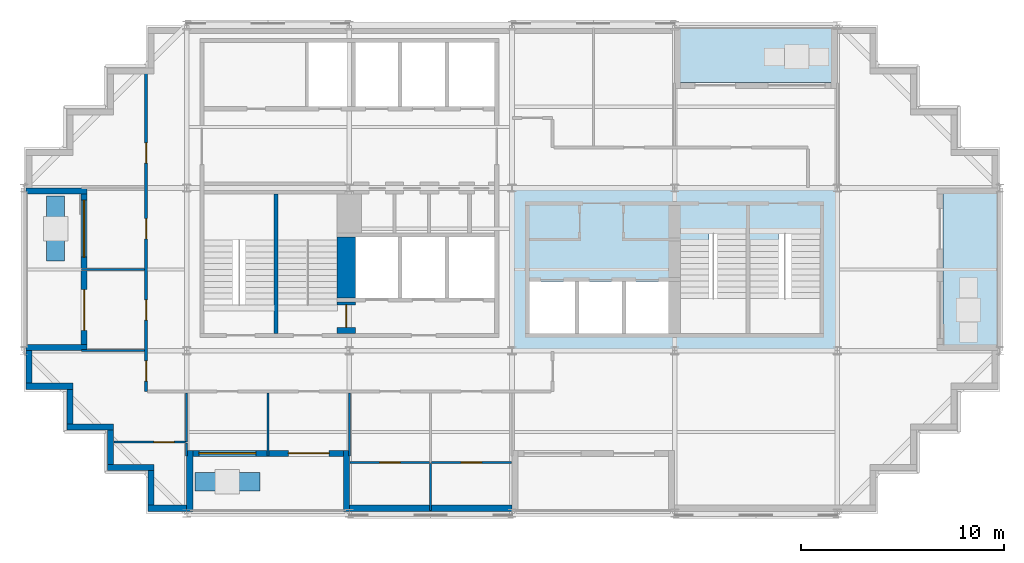
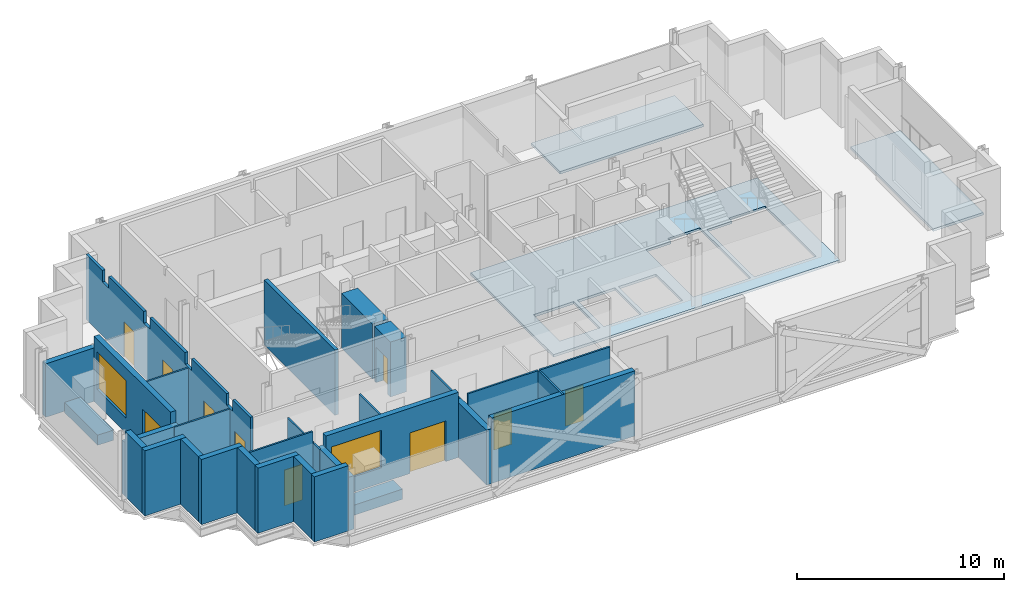
# One storey, part 2 of 8: 31 walls, 10 doors, 3 slabs, 2 windows, 12 openings.
"""IFC4 building model written with IfcOpenShell, lengths in metres."""

from ifc_helpers import new_model, si_unit, direction, frame, frame_2d, origin, place, context, subcontext, project, spatial, polyline, rectangle, outline, extrude, material, layer, layer_set, type_object, element, fill, save


model = new_model("IFC4")

# Units and contexts
model_context = context("Model", 3, precision=1e-05, world=origin(), true_north=direction((0.0, 1.0)))
body_context = subcontext(model_context, "Body", "Model", "MODEL_VIEW")
ifc_project = project(units=[si_unit("LENGTHUNIT", "METRE"), si_unit("AREAUNIT", "SQUARE_METRE"), si_unit("VOLUMEUNIT", "CUBIC_METRE"), si_unit("PLANEANGLEUNIT", "RADIAN"), si_unit("MASSUNIT", "GRAM", prefix="KILO")], contexts=[model_context])

# Site, building, storey
site_placement = place(None, origin())
site = spatial("IfcSite", under=ifc_project, at=site_placement, CompositionType="ELEMENT")
building_placement = place(site_placement, origin())
building = spatial("IfcBuilding", under=site, at=building_placement, Name="Immortelle Media Tower", CompositionType="ELEMENT")
storey_placement = place(building_placement, frame((0.0, 0.0, 197.0)))
storey = spatial("IfcBuildingStorey", under=building, at=storey_placement, Name="L41", CompositionType="ELEMENT", Elevation=197.0)

# Slabs
ifc_material_1 = material(Name="Concrete C50/60 composite deck", Category="concrete")
ifc_layer_1 = layer(ifc_material_1, 0.14990234375)
ifc_layer_set_1 = layer_set([ifc_layer_1], Name="Concrete C50/60 composite deck")
slab_type_1 = type_object("IfcSlabType", Name="Balcony slab 150", PredefinedType="FLOOR", material=ifc_layer_set_1)
slab_1_placement = place(storey_placement, frame((0.0, 0.0, -0.14990234375)))
element("IfcSlab", 1, at=slab_1_placement, inside=storey, type_object=slab_type_1, Name="Balcony slab L41 E0", PredefinedType="FLOOR", context=body_context, shape_type="SweptSolid", body=[
    extrude(outline(polyline([(48.0, 8.0), (48.0, 16.0), (45.199951171875, 16.0), (45.199951171875, 8.0), (48.0, 8.0)])), origin(), (0.0, 0.0, 1.0), 0.14990234375),
])
slab_2_placement = place(storey_placement, frame((0.0, 0.0, -0.14990234375)))
element("IfcSlab", 2, at=slab_2_placement, inside=storey, type_object=slab_type_1, Name="Balcony slab L41 N0", PredefinedType="FLOOR", context=body_context, shape_type="SweptSolid", body=[
    extrude(outline(polyline([(40.0, 21.199951171875), (40.0, 24.0), (32.0, 24.0), (32.0, 21.199951171875), (40.0, 21.199951171875)])), origin(), (0.0, 0.0, 1.0), 0.14990234375),
])
ifc_material_2 = material(Name="Concrete C50/60", Category="concrete")
ifc_layer_2 = layer(ifc_material_2, 0.14990234375)
ifc_layer_set_2 = layer_set([ifc_layer_2], Name="Concrete C50/60")
slab_type_2 = type_object("IfcSlabType", Name="Core floor slab 150", PredefinedType="FLOOR", material=ifc_layer_set_2)
slab_3_placement = place(storey_placement, frame((0.0, 0.0, -0.14990234375)))
element("IfcSlab", 3, at=slab_3_placement, inside=storey, type_object=slab_type_2, Name="Core floor SE", PredefinedType="FLOOR", context=body_context, shape_type="SweptSolid", body=[
    extrude(outline(polyline([(24.0, 8.0), (40.0, 8.0), (40.0, 16.0), (24.0, 16.0), (24.0, 8.0)]), holes=[polyline([(24.85009765625, 8.85009765625), (27.10009765625, 8.85009765625), (27.10009765625, 11.39990234375), (24.85009765625, 11.39990234375), (24.85009765625, 8.85009765625)]), polyline([(27.300048828125, 8.85009765625), (29.39990234375, 8.85009765625), (29.39990234375, 11.39990234375), (27.300048828125, 11.39990234375), (27.300048828125, 8.85009765625)]), polyline([(29.60009765625, 8.85009765625), (31.699951171875, 8.85009765625), (31.699951171875, 11.39990234375), (29.60009765625, 11.39990234375), (29.60009765625, 8.85009765625)]), polyline([(35.5, 13.72998046875), (35.5, 8.85009765625), (32.300048828125, 8.85009765625), (32.300048828125, 13.43994140625), (33.699951171875, 13.43994140625), (33.699951171875, 13.72998046875), (35.5, 13.72998046875)]), polyline([(39.14990234375, 13.72998046875), (39.14990234375, 8.85009765625), (35.699951171875, 8.85009765625), (35.699951171875, 13.43994140625), (37.10009765625, 13.43994140625), (37.10009765625, 13.72998046875), (39.14990234375, 13.72998046875)])]), origin(), (0.0, 0.0, 1.0), 0.14990234375),
])

# Wall, openings, doors
ifc_material_3 = material(Name="Fire-rated gypsum board", Category="gypsum")
ifc_layer_3 = layer(ifc_material_3, 0.012451171875)
ifc_material_4 = material(Name="Steel ASTM A653 SS Gr 50 stud frame with mineral wool", Category="steel")
ifc_layer_4 = layer(ifc_material_4, 0.125)
ifc_layer_5 = layer(ifc_material_3, 0.012451171875)
ifc_layer_set_3 = layer_set([ifc_layer_3, ifc_layer_4, ifc_layer_5], Name="Steel ASTM A653 SS Gr 50 stud frame with mineral wool")
wall_type_1 = type_object("IfcWallType", Name="Corridor wall 150", PredefinedType="PARTITIONING", material=ifc_layer_set_3)
wall_1_placement = place(storey_placement, frame((6.0, 6.0, 0.0), z_axis=(0.0, 0.0, 1.0), x_axis=(0.0, 1.0, 0.0)))
wall_1 = element("IfcWall", 4, at=wall_1_placement, inside=storey, type_object=wall_type_1, Name="Partition L41-012", PredefinedType="PARTITIONING", context=body_context, shape_type="SweptSolid", body=[
    extrude(outline(polyline([(0.0, 0.0), (15.8701171875, 0.0), (15.8701171875, 3.85009765625), (14.300048828125, 3.85009765625), (14.298095703125, 3.156982421875), (13.701904296875, 3.156982421875), (13.699951171875, 3.85009765625), (10.300048828125, 3.85009765625), (10.298095703125, 3.156982421875), (9.701904296875, 3.156982421875), (9.699951171875, 3.85009765625), (6.300048828125, 3.85009765625), (6.298095703125, 3.156982421875), (5.701904296875, 3.156982421875), (5.699951171875, 3.85009765625), (2.300048828125, 3.85009765625), (2.298095703125, 3.156982421875), (1.701904296875, 3.156982421875), (1.699951171875, 3.85009765625), (0.0, 3.85009765625), (0.0, 0.0)])), frame((0.0, 0.074951171875, 0.0), z_axis=(0.0, -1.0, 0.0), x_axis=(1.0, 0.0, 0.0)), (0.0, 0.0, 1.0), 0.14990234375),
])
opening_1_placement = place(wall_1_placement, frame((0.5, 0.0, 0.0)))
opening_1 = element("IfcOpeningElement", 5, at=opening_1_placement, cuts=wall_1, Name="Opening O1-F007", PredefinedType="OPENING", context=body_context, shape_type="SweptSolid", body=[
    extrude(rectangle(XDim=1.0, YDim=2.10009765625, at=frame_2d((0.5, 1.050048828125))), frame((0.0, 0.0849609375, 0.0), z_axis=(0.0, -1.0, 0.0), x_axis=(1.0, 0.0, 0.0)), (0.0, 0.0, 1.0), 0.169921875),
])
opening_2_placement = place(wall_1_placement, frame((3.5, 0.0, 0.0)))
opening_2 = element("IfcOpeningElement", 6, at=opening_2_placement, cuts=wall_1, Name="Opening O1-F010", PredefinedType="OPENING", context=body_context, shape_type="SweptSolid", body=[
    extrude(rectangle(XDim=1.0, YDim=2.10009765625, at=frame_2d((0.5, 1.050048828125))), frame((0.0, 0.0849609375, 0.0), z_axis=(0.0, -1.0, 0.0), x_axis=(1.0, 0.0, 0.0)), (0.0, 0.0, 1.0), 0.169921875),
])
opening_3_placement = place(wall_1_placement, frame((7.5, 0.0, 0.0)))
opening_3 = element("IfcOpeningElement", 7, at=opening_3_placement, cuts=wall_1, Name="Opening O1-F011", PredefinedType="OPENING", context=body_context, shape_type="SweptSolid", body=[
    extrude(rectangle(XDim=1.0, YDim=2.10009765625, at=frame_2d((0.5, 1.050048828125))), frame((0.0, 0.0849609375, 0.0), z_axis=(0.0, -1.0, 0.0), x_axis=(1.0, 0.0, 0.0)), (0.0, 0.0, 1.0), 0.169921875),
])
opening_4_placement = place(wall_1_placement, frame((11.22509765625, 0.0, 0.0)))
opening_4 = element("IfcOpeningElement", 8, at=opening_4_placement, cuts=wall_1, Name="Opening O1-F012", PredefinedType="OPENING", context=body_context, shape_type="SweptSolid", body=[
    extrude(rectangle(XDim=1.0, YDim=2.10009765625, at=frame_2d((0.5, 1.050048828125))), frame((0.0, 0.0849609375, 0.0), z_axis=(0.0, -1.0, 0.0), x_axis=(1.0, 0.0, 0.0)), (0.0, 0.0, 1.0), 0.169921875),
])
ifc_material_5 = material(Name="Timber veneered door leaf, galvanised steel frame ASTM A653", Category="steel")
door_type_1 = type_object("IfcDoorType", Name="Room door 1000 x 2100", OperationType="NOTDEFINED", PredefinedType="DOOR", material=ifc_material_5)
door_1_placement = place(opening_1_placement, origin())
door_1 = element("IfcDoor", 9, at=door_1_placement, inside=storey, type_object=door_type_1, Name="Door O1-F007", OperationType="SINGLE_SWING_RIGHT", OverallHeight=2.10009765625, OverallWidth=1.0, PredefinedType="DOOR", context=body_context, shape_type="SweptSolid", body=[
    extrude(rectangle(XDim=1.0, YDim=2.10009765625, at=frame_2d((0.5, 1.050048828125))), frame((0.0, 0.02490234375, 0.0), z_axis=(0.0, -1.0, 0.0), x_axis=(1.0, 0.0, 0.0)), (0.0, 0.0, 1.0), 0.050048828125),
])
fill(opening_1, door_1)
door_2_placement = place(opening_2_placement, origin())
door_2 = element("IfcDoor", 10, at=door_2_placement, inside=storey, type_object=door_type_1, Name="Door O1-F010", OperationType="SINGLE_SWING_RIGHT", OverallHeight=2.10009765625, OverallWidth=1.0, PredefinedType="DOOR", context=body_context, shape_type="SweptSolid", body=[
    extrude(rectangle(XDim=1.0, YDim=2.10009765625, at=frame_2d((0.5, 1.050048828125))), frame((0.0, 0.02490234375, 0.0), z_axis=(0.0, -1.0, 0.0), x_axis=(1.0, 0.0, 0.0)), (0.0, 0.0, 1.0), 0.050048828125),
])
fill(opening_2, door_2)
door_3_placement = place(opening_3_placement, origin())
door_3 = element("IfcDoor", 11, at=door_3_placement, inside=storey, type_object=door_type_1, Name="Door O1-F011", OperationType="SINGLE_SWING_LEFT", OverallHeight=2.10009765625, OverallWidth=1.0, PredefinedType="DOOR", context=body_context, shape_type="SweptSolid", body=[
    extrude(rectangle(XDim=1.0, YDim=2.10009765625, at=frame_2d((0.5, 1.050048828125))), frame((0.0, 0.02490234375, 0.0), z_axis=(0.0, -1.0, 0.0), x_axis=(1.0, 0.0, 0.0)), (0.0, 0.0, 1.0), 0.050048828125),
])
fill(opening_3, door_3)
door_4_placement = place(opening_4_placement, origin())
door_4 = element("IfcDoor", 12, at=door_4_placement, inside=storey, type_object=door_type_1, Name="Door O1-F012", OperationType="SINGLE_SWING_LEFT", OverallHeight=2.10009765625, OverallWidth=1.0, PredefinedType="DOOR", context=body_context, shape_type="SweptSolid", body=[
    extrude(rectangle(XDim=1.0, YDim=2.10009765625, at=frame_2d((0.5, 1.050048828125))), frame((0.0, 0.02490234375, 0.0), z_axis=(0.0, -1.0, 0.0), x_axis=(1.0, 0.0, 0.0)), (0.0, 0.0, 1.0), 0.050048828125),
])
fill(opening_4, door_4)

# Walls
ifc_material_6 = material(Name="Pale aluminium cladding panel", Category="aluminium")
ifc_layer_6 = layer(ifc_material_6, 0.030029296875)
ifc_layer_7 = layer(ifc_material_4, 0.257568359375)
ifc_material_7 = material(Name="Moisture-resistant gypsum board", Category="gypsum")
ifc_layer_8 = layer(ifc_material_7, 0.012451171875)
ifc_layer_set_4 = layer_set([ifc_layer_6, ifc_layer_7, ifc_layer_8], Name="Steel ASTM A653 SS Gr 50 stud frame with mineral wool")
wall_type_2 = type_object("IfcWallType", Name="Facade wall 300", PredefinedType="SOLIDWALL", material=ifc_layer_set_4)
wall_2_placement = place(storey_placement, frame((0.10009765625, 6.25, 0.0), z_axis=(0.0, 0.0, 1.0), x_axis=(1.0, 0.0, 0.0)))
element("IfcWall", 13, at=wall_2_placement, inside=storey, type_object=wall_type_2, Name="Facade wall L41 S0", PredefinedType="SOLIDWALL", context=body_context, shape_type="SweptSolid", body=[
    extrude(rectangle(XDim=2.2998046875, YDim=0.300048828125, at=frame_2d((1.14990234375, 0.0))), origin(), (0.0, 0.0, 1.0), 3.85009765625),
])
wall_3_placement = place(storey_placement, frame((2.25, 6.10009765625, 0.0), z_axis=(0.0, 0.0, 1.0), x_axis=(0.0, -1.0, 0.0)))
element("IfcWall", 14, at=wall_3_placement, inside=storey, type_object=wall_type_2, Name="Facade wall L41 W1", PredefinedType="SOLIDWALL", context=body_context, shape_type="SweptSolid", body=[
    extrude(rectangle(XDim=1.7001953125, YDim=0.300048828125, at=frame_2d((0.85009765625, 0.0))), origin(), (0.0, 0.0, 1.0), 3.85009765625),
])
wall_4_placement = place(storey_placement, frame((2.10009765625, 4.25, 0.0), z_axis=(0.0, 0.0, 1.0), x_axis=(1.0, 0.0, 0.0)))
element("IfcWall", 15, at=wall_4_placement, inside=storey, type_object=wall_type_2, Name="Facade wall L41 S2", PredefinedType="SOLIDWALL", context=body_context, shape_type="SweptSolid", body=[
    extrude(rectangle(XDim=2.2998046875, YDim=0.300048828125, at=frame_2d((1.14990234375, 0.0))), origin(), (0.0, 0.0, 1.0), 3.85009765625),
])
wall_5_placement = place(storey_placement, frame((4.25, 4.10009765625, 0.0), z_axis=(0.0, 0.0, 1.0), x_axis=(0.0, -1.0, 0.0)))
element("IfcWall", 16, at=wall_5_placement, inside=storey, type_object=wall_type_2, Name="Facade wall L41 W3", PredefinedType="SOLIDWALL", context=body_context, shape_type="SweptSolid", body=[
    extrude(rectangle(XDim=1.7001953125, YDim=0.300048828125, at=frame_2d((0.85009765625, 0.0))), origin(), (0.0, 0.0, 1.0), 3.85009765625),
])
wall_6_placement = place(storey_placement, frame((4.10009765625, 2.25, 0.0), z_axis=(0.0, 0.0, 1.0), x_axis=(1.0, 0.0, 0.0)))
element("IfcWall", 17, at=wall_6_placement, inside=storey, type_object=wall_type_2, Name="Facade wall L41 S4", PredefinedType="SOLIDWALL", context=body_context, shape_type="SweptSolid", body=[
    extrude(rectangle(XDim=2.2998046875, YDim=0.300048828125, at=frame_2d((1.14990234375, 0.0))), origin(), (0.0, 0.0, 1.0), 3.85009765625),
])
wall_7_placement = place(storey_placement, frame((6.25, 2.10009765625, 0.0), z_axis=(0.0, 0.0, 1.0), x_axis=(0.0, -1.0, 0.0)))
element("IfcWall", 18, at=wall_7_placement, inside=storey, type_object=wall_type_2, Name="Facade wall L41 W5", PredefinedType="SOLIDWALL", context=body_context, shape_type="SweptSolid", body=[
    extrude(rectangle(XDim=1.7001953125, YDim=0.300048828125, at=frame_2d((0.85009765625, 0.0))), origin(), (0.0, 0.0, 1.0), 3.85009765625),
])
wall_8_placement = place(storey_placement, frame((6.10009765625, 0.25, 0.0), z_axis=(0.0, 0.0, 1.0), x_axis=(1.0, 0.0, 0.0)))
element("IfcWall", 19, at=wall_8_placement, inside=storey, type_object=wall_type_2, Name="Facade wall L41 S6", PredefinedType="SOLIDWALL", context=body_context, shape_type="SweptSolid", body=[
    extrude(rectangle(XDim=1.89990234375, YDim=0.300048828125, at=frame_2d((0.949951171875, 0.0))), origin(), (0.0, 0.0, 1.0), 3.85009765625),
])

# Wall, openings, door, window
wall_9_placement = place(storey_placement, frame((8.300048828125, 2.949951171875, 0.0), z_axis=(0.0, 0.0, 1.0), x_axis=(1.0, 0.0, 0.0)))
wall_9 = element("IfcWall", 20, at=wall_9_placement, inside=storey, type_object=wall_type_2, Name="Loggia wall L41 S6", PredefinedType="SOLIDWALL", context=body_context, shape_type="SweptSolid", body=[
    extrude(rectangle(XDim=7.39990234375, YDim=0.300048828125, at=frame_2d((3.699951171875, 0.0))), origin(), (0.0, 0.0, 1.0), 3.85009765625),
])
opening_5_placement = place(wall_9_placement, frame((0.300048828125, 0.0, 0.89990234375)))
opening_5 = element("IfcOpeningElement", 21, at=opening_5_placement, cuts=wall_9, Name="Opening W1", PredefinedType="OPENING", context=body_context, shape_type="SweptSolid", body=[
    extrude(rectangle(XDim=2.800048828125, YDim=2.199951171875, at=frame_2d((1.39990234375, 1.10009765625))), frame((0.0, 0.159912109375, 0.0), z_axis=(0.0, -1.0, 0.0), x_axis=(1.0, 0.0, 0.0)), (0.0, 0.0, 1.0), 0.320068359375),
])
opening_6_placement = place(wall_9_placement, frame((4.699951171875, 0.0, 0.0)))
opening_6 = element("IfcOpeningElement", 22, at=opening_6_placement, cuts=wall_9, Name="Opening O1-E001", PredefinedType="OPENING", context=body_context, shape_type="SweptSolid", body=[
    extrude(rectangle(XDim=2.0, YDim=2.39990234375, at=frame_2d((1.0, 1.199951171875))), frame((0.0, 0.159912109375, 0.0), z_axis=(0.0, -1.0, 0.0), x_axis=(1.0, 0.0, 0.0)), (0.0, 0.0, 1.0), 0.320068359375),
])
ifc_material_8 = material(Name="Aluminium frame, glazed leaves", Category="aluminium")
door_type_2 = type_object("IfcDoorType", Name="Loggia door 2000 x 2400", OperationType="DOUBLE_DOOR_SINGLE_SWING", PredefinedType="DOOR", material=ifc_material_8)
door_5_placement = place(opening_6_placement, origin())
door_5 = element("IfcDoor", 23, at=door_5_placement, inside=storey, type_object=door_type_2, Name="Door O1-E001", OperationType="DOUBLE_DOOR_SINGLE_SWING", OverallHeight=2.39990234375, OverallWidth=2.0, PredefinedType="DOOR", context=body_context, shape_type="SweptSolid", body=[
    extrude(rectangle(XDim=2.0, YDim=2.39990234375, at=frame_2d((1.0, 1.199951171875))), frame((0.0, 0.02490234375, 0.0), z_axis=(0.0, -1.0, 0.0), x_axis=(1.0, 0.0, 0.0)), (0.0, 0.0, 1.0), 0.050048828125),
])
fill(opening_6, door_5)
ifc_material_9 = material(Name="Aluminium frame", Category="aluminium")
window_type = type_object("IfcWindowType", Name="Window 2800 x 2200", PartitioningType="SINGLE_PANEL", PredefinedType="WINDOW", material=ifc_material_9)
window_1_placement = place(opening_5_placement, origin())
window_1 = element("IfcWindow", 24, at=window_1_placement, inside=storey, type_object=window_type, Name="Window L41 L41-R6-B0", OverallHeight=2.199951171875, OverallWidth=2.800048828125, PartitioningType="SINGLE_PANEL", PredefinedType="WINDOW", context=body_context, shape_type="SweptSolid", body=[
    extrude(rectangle(XDim=2.800048828125, YDim=2.199951171875, at=frame_2d((1.39990234375, 1.10009765625))), frame((0.0, 0.030029296875, 0.0), z_axis=(0.0, -1.0, 0.0), x_axis=(1.0, 0.0, 0.0)), (0.0, 0.0, 1.0), 0.06005859375),
])
fill(opening_5, window_1)

# Walls
wall_10_placement = place(storey_placement, frame((8.14990234375, 0.10009765625, 0.0), z_axis=(0.0, 0.0, 1.0), x_axis=(0.0, 1.0, 0.0)))
element("IfcWall", 25, at=wall_10_placement, inside=storey, type_object=wall_type_2, Name="Loggia cheek wall L41 S", PredefinedType="SOLIDWALL", context=body_context, shape_type="SweptSolid", body=[
    extrude(rectangle(XDim=3.0, YDim=0.300048828125, at=frame_2d((1.5, 0.0))), origin(), (0.0, 0.0, 1.0), 3.156005859375),
])
wall_11_placement = place(storey_placement, frame((15.85009765625, 0.10009765625, 0.0), z_axis=(0.0, 0.0, 1.0), x_axis=(0.0, 1.0, 0.0)))
element("IfcWall", 26, at=wall_11_placement, inside=storey, type_object=wall_type_2, Name="Loggia cheek wall L41 S", PredefinedType="SOLIDWALL", context=body_context, shape_type="SweptSolid", body=[
    extrude(rectangle(XDim=3.0, YDim=0.300048828125, at=frame_2d((1.5, 0.0))), origin(), (0.0, 0.0, 1.0), 3.237060546875),
])
wall_12_placement = place(storey_placement, frame((16.0, 0.25, 0.0), z_axis=(0.0, 0.0, 1.0), x_axis=(1.0, 0.0, 0.0)))
element("IfcWall", 27, at=wall_12_placement, inside=storey, type_object=wall_type_2, Name="Facade wall L41 S6", PredefinedType="SOLIDWALL", context=body_context, shape_type="SweptSolid", body=[
    extrude(rectangle(XDim=8.0, YDim=0.300048828125, at=frame_2d((4.0, 0.0))), origin(), (0.0, 0.0, 1.0), 3.85009765625),
])

# Wall, openings, door, window
wall_13_placement = place(storey_placement, frame((2.949951171875, 15.699951171875, 0.0), z_axis=(0.0, 0.0, 1.0), x_axis=(0.0, -1.0, 0.0)))
wall_13 = element("IfcWall", 28, at=wall_13_placement, inside=storey, type_object=wall_type_2, Name="Loggia wall L41 W27", PredefinedType="SOLIDWALL", context=body_context, shape_type="SweptSolid", body=[
    extrude(rectangle(XDim=7.39990234375, YDim=0.300048828125, at=frame_2d((3.699951171875, 0.0))), origin(), (0.0, 0.0, 1.0), 3.85009765625),
])
opening_7_placement = place(wall_13_placement, frame((0.300048828125, 0.0, 0.89990234375)))
opening_7 = element("IfcOpeningElement", 29, at=opening_7_placement, cuts=wall_13, Name="Opening W1", PredefinedType="OPENING", context=body_context, shape_type="SweptSolid", body=[
    extrude(rectangle(XDim=2.800048828125, YDim=2.199951171875, at=frame_2d((1.39990234375, 1.10009765625))), frame((0.0, 0.159912109375, 0.0), z_axis=(0.0, -1.0, 0.0), x_axis=(1.0, 0.0, 0.0)), (0.0, 0.0, 1.0), 0.320068359375),
])
opening_8_placement = place(wall_13_placement, frame((4.699951171875, 0.0, 0.0)))
opening_8 = element("IfcOpeningElement", 30, at=opening_8_placement, cuts=wall_13, Name="Opening O1-E006", PredefinedType="OPENING", context=body_context, shape_type="SweptSolid", body=[
    extrude(rectangle(XDim=2.0, YDim=2.39990234375, at=frame_2d((1.0, 1.199951171875))), frame((0.0, 0.159912109375, 0.0), z_axis=(0.0, -1.0, 0.0), x_axis=(1.0, 0.0, 0.0)), (0.0, 0.0, 1.0), 0.320068359375),
])
door_6_placement = place(opening_8_placement, origin())
door_6 = element("IfcDoor", 31, at=door_6_placement, inside=storey, type_object=door_type_2, Name="Door O1-E006", OperationType="DOUBLE_DOOR_SINGLE_SWING", OverallHeight=2.39990234375, OverallWidth=2.0, PredefinedType="DOOR", context=body_context, shape_type="SweptSolid", body=[
    extrude(rectangle(XDim=2.0, YDim=2.39990234375, at=frame_2d((1.0, 1.199951171875))), frame((0.0, 0.02490234375, 0.0), z_axis=(0.0, -1.0, 0.0), x_axis=(1.0, 0.0, 0.0)), (0.0, 0.0, 1.0), 0.050048828125),
])
fill(opening_8, door_6)
window_2_placement = place(opening_7_placement, origin())
window_2 = element("IfcWindow", 32, at=window_2_placement, inside=storey, type_object=window_type, Name="Window L41 L41-R27-B0", OverallHeight=2.199951171875, OverallWidth=2.800048828125, PartitioningType="SINGLE_PANEL", PredefinedType="WINDOW", context=body_context, shape_type="SweptSolid", body=[
    extrude(rectangle(XDim=2.800048828125, YDim=2.199951171875, at=frame_2d((1.39990234375, 1.10009765625))), frame((0.0, 0.030029296875, 0.0), z_axis=(0.0, -1.0, 0.0), x_axis=(1.0, 0.0, 0.0)), (0.0, 0.0, 1.0), 0.06005859375),
])
fill(opening_7, window_2)

# Walls
for number, where, z_axis, x_axis, name in (
    (33, (0.10009765625, 15.85009765625, 0.0), (0.0, 0.0, 1.0), (1.0, 0.0, 0.0), "Loggia cheek wall L41 W"),
    (34, (0.10009765625, 8.14990234375, 0.0), (0.0, 0.0, 1.0), (1.0, 0.0, 0.0), "Loggia cheek wall L41 W"),
):
    element("IfcWall", number, at=place(storey_placement, frame(where, z_axis=z_axis, x_axis=x_axis)), inside=storey, type_object=wall_type_2, Name=name, PredefinedType="SOLIDWALL", context=body_context, shape_type="SweptSolid", body=[
        extrude(rectangle(XDim=3.0, YDim=0.300048828125, at=frame_2d((1.5, 0.0))), origin(), (0.0, 0.0, 1.0), 3.156005859375),
    ])
wall_14_placement = place(storey_placement, frame((0.25, 8.0, 0.0), z_axis=(0.0, 0.0, 1.0), x_axis=(0.0, -1.0, 0.0)))
element("IfcWall", 35, at=wall_14_placement, inside=storey, type_object=wall_type_2, Name="Facade wall L41 W27", PredefinedType="SOLIDWALL", context=body_context, shape_type="SweptSolid", body=[
    extrude(rectangle(XDim=1.60009765625, YDim=0.300048828125, at=frame_2d((0.800048828125, 0.0))), origin(), (0.0, 0.0, 1.0), 3.85009765625),
])
ifc_material_10 = material(Name="Gypsum board", Category="gypsum")
ifc_layer_9 = layer(ifc_material_10, 0.012451171875)
ifc_layer_10 = layer(ifc_material_4, 0.074951171875)
ifc_layer_11 = layer(ifc_material_10, 0.012451171875)
ifc_layer_set_5 = layer_set([ifc_layer_9, ifc_layer_10, ifc_layer_11], Name="Steel ASTM A653 SS Gr 50 stud frame with mineral wool")
wall_type_3 = type_object("IfcWallType", Name="Partition 100", PredefinedType="PARTITIONING", material=ifc_layer_set_5)
wall_15_placement = place(storey_placement, frame((20.0, 0.1298828125, 0.0), z_axis=(0.0, 0.0, 1.0), x_axis=(0.0, 1.0, 0.0)))
element("IfcWall", 36, at=wall_15_placement, inside=storey, type_object=wall_type_3, Name="Partition L41-001", PredefinedType="PARTITIONING", context=body_context, shape_type="SweptSolid", body=[
    extrude(rectangle(XDim=2.320068359375, YDim=0.10009765625, at=frame_2d((1.16015625, 0.0))), origin(), (0.0, 0.0, 1.0), 3.85009765625),
])

# Wall, opening, door
wall_16_placement = place(storey_placement, frame((16.030029296875, 2.5, 0.0), z_axis=(0.0, 0.0, 1.0), x_axis=(1.0, 0.0, 0.0)))
wall_16 = element("IfcWall", 37, at=wall_16_placement, inside=storey, type_object=wall_type_3, Name="Partition L41-002", PredefinedType="PARTITIONING", context=body_context, shape_type="SweptSolid", body=[
    extrude(rectangle(XDim=3.919921875, YDim=0.10009765625, at=frame_2d((1.9599609375, 0.0))), origin(), (0.0, 0.0, 1.0), 3.85009765625),
])
opening_9_placement = place(wall_16_placement, frame((1.469970703125, 0.0, 0.0)))
opening_9 = element("IfcOpeningElement", 38, at=opening_9_placement, cuts=wall_16, Name="Opening O1-F002", PredefinedType="OPENING", context=body_context, shape_type="SweptSolid", body=[
    extrude(rectangle(XDim=1.0, YDim=2.10009765625, at=frame_2d((0.5, 1.050048828125))), frame((0.0, 0.06005859375, 0.0), z_axis=(0.0, -1.0, 0.0), x_axis=(1.0, 0.0, 0.0)), (0.0, 0.0, 1.0), 0.1201171875),
])
door_7_placement = place(opening_9_placement, origin())
door_7 = element("IfcDoor", 39, at=door_7_placement, inside=storey, type_object=door_type_1, Name="Door O1-F002", OperationType="SINGLE_SWING_RIGHT", OverallHeight=2.10009765625, OverallWidth=1.0, PredefinedType="DOOR", context=body_context, shape_type="SweptSolid", body=[
    extrude(rectangle(XDim=1.0, YDim=2.10009765625, at=frame_2d((0.5, 1.050048828125))), frame((0.0, 0.02490234375, 0.0), z_axis=(0.0, -1.0, 0.0), x_axis=(1.0, 0.0, 0.0)), (0.0, 0.0, 1.0), 0.050048828125),
])
fill(opening_9, door_7)

wall_17_placement = place(storey_placement, frame((20.050048828125, 2.5, 0.0), z_axis=(0.0, 0.0, 1.0), x_axis=(1.0, 0.0, 0.0)))
wall_17 = element("IfcWall", 40, at=wall_17_placement, inside=storey, type_object=wall_type_3, Name="Partition L41-003", PredefinedType="PARTITIONING", context=body_context, shape_type="SweptSolid", body=[
    extrude(rectangle(XDim=3.919921875, YDim=0.10009765625, at=frame_2d((1.9599609375, 0.0))), origin(), (0.0, 0.0, 1.0), 3.85009765625),
])
opening_10_placement = place(wall_17_placement, frame((2.449951171875, 0.0, 0.0), z_axis=(0.0, 0.0, 1.0), x_axis=(-1.0, 0.0, 0.0)))
opening_10 = element("IfcOpeningElement", 41, at=opening_10_placement, cuts=wall_17, Name="Opening O1-F004", PredefinedType="OPENING", context=body_context, shape_type="SweptSolid", body=[
    extrude(rectangle(XDim=1.0, YDim=2.10009765625, at=frame_2d((0.5, 1.050048828125))), frame((0.0, 0.06005859375, 0.0), z_axis=(0.0, -1.0, 0.0), x_axis=(1.0, 0.0, 0.0)), (0.0, 0.0, 1.0), 0.1201171875),
])
door_8_placement = place(opening_10_placement, origin())
door_8 = element("IfcDoor", 42, at=door_8_placement, inside=storey, type_object=door_type_1, Name="Door O1-F004", OperationType="SINGLE_SWING_LEFT", OverallHeight=2.10009765625, OverallWidth=1.0, PredefinedType="DOOR", context=body_context, shape_type="SweptSolid", body=[
    extrude(rectangle(XDim=1.0, YDim=2.10009765625, at=frame_2d((0.5, 1.050048828125))), frame((0.0, 0.02490234375, 0.0), z_axis=(0.0, -1.0, 0.0), x_axis=(1.0, 0.0, 0.0)), (0.0, 0.0, 1.0), 0.050048828125),
])
fill(opening_10, door_8)

# Walls
wall_18_placement = place(storey_placement, frame((8.0, 2.830078125, 0.0), z_axis=(0.0, 0.0, 1.0), x_axis=(0.0, 1.0, 0.0)))
element("IfcWall", 43, at=wall_18_placement, inside=storey, type_object=wall_type_3, Name="Partition L41-005", PredefinedType="PARTITIONING", context=body_context, shape_type="SweptSolid", body=[
    extrude(rectangle(XDim=0.619873046875, YDim=0.10009765625, at=frame_2d((0.31005859375, 0.0))), origin(), (0.0, 0.0, 1.0), 3.156982421875),
])
for number, where, z_axis, x_axis, name in (
    (44, (12.0, 2.830078125, 0.0), (0.0, 0.0, 1.0), (0.0, 1.0, 0.0), "Partition L41-006"),
    (45, (16.0, 2.830078125, 0.0), (0.0, 0.0, 1.0), (0.0, 1.0, 0.0), "Partition L41-007"),
):
    element("IfcWall", number, at=place(storey_placement, frame(where, z_axis=z_axis, x_axis=x_axis)), inside=storey, type_object=wall_type_3, Name=name, PredefinedType="PARTITIONING", context=body_context, shape_type="SweptSolid", body=[
        extrude(rectangle(XDim=3.094970703125, YDim=0.10009765625, at=frame_2d((1.54736328125, 0.0))), origin(), (0.0, 0.0, 1.0), 3.156982421875),
    ])

# Wall, opening, door
wall_19_placement = place(storey_placement, frame((4.429931640625, 3.5, 0.0), z_axis=(0.0, 0.0, 1.0), x_axis=(1.0, 0.0, 0.0)))
wall_19 = element("IfcWall", 46, at=wall_19_placement, inside=storey, type_object=wall_type_3, Name="Partition L41-009", PredefinedType="PARTITIONING", context=body_context, shape_type="SweptSolid", body=[
    extrude(rectangle(XDim=3.52001953125, YDim=0.10009765625, at=frame_2d((1.760009765625, 0.0))), origin(), (0.0, 0.0, 1.0), 3.85009765625),
])
opening_11_placement = place(wall_19_placement, frame((2.949951171875, 0.0, 0.0), z_axis=(0.0, 0.0, 1.0), x_axis=(-1.0, 0.0, 0.0)))
opening_11 = element("IfcOpeningElement", 47, at=opening_11_placement, cuts=wall_19, Name="Opening O1-F008", PredefinedType="OPENING", context=body_context, shape_type="SweptSolid", body=[
    extrude(rectangle(XDim=1.0, YDim=2.10009765625, at=frame_2d((0.5, 1.050048828125))), frame((0.0, 0.06005859375, 0.0), z_axis=(0.0, -1.0, 0.0), x_axis=(1.0, 0.0, 0.0)), (0.0, 0.0, 1.0), 0.1201171875),
])
door_9_placement = place(opening_11_placement, origin())
door_9 = element("IfcDoor", 48, at=door_9_placement, inside=storey, type_object=door_type_1, Name="Door O1-F008", OperationType="SINGLE_SWING_LEFT", OverallHeight=2.10009765625, OverallWidth=1.0, PredefinedType="DOOR", context=body_context, shape_type="SweptSolid", body=[
    extrude(rectangle(XDim=1.0, YDim=2.10009765625, at=frame_2d((0.5, 1.050048828125))), frame((0.0, 0.02490234375, 0.0), z_axis=(0.0, -1.0, 0.0), x_axis=(1.0, 0.0, 0.0)), (0.0, 0.0, 1.0), 0.050048828125),
])
fill(opening_11, door_9)

# Walls
wall_20_placement = place(storey_placement, frame((8.0, 3.5, 0.0), z_axis=(0.0, 0.0, 1.0), x_axis=(0.0, 1.0, 0.0)))
element("IfcWall", 49, at=wall_20_placement, inside=storey, type_object=wall_type_3, Name="Partition L41-010", PredefinedType="PARTITIONING", context=body_context, shape_type="SweptSolid", body=[
    extrude(rectangle(XDim=2.425048828125, YDim=0.10009765625, at=frame_2d((1.21240234375, 0.0))), origin(), (0.0, 0.0, 1.0), 3.156982421875),
])
for number, where, z_axis, x_axis, name in (
    (50, (2.830078125, 8.0, 0.0), (0.0, 0.0, 1.0), (1.0, 0.0, 0.0), "Partition L41-014"),
    (51, (2.830078125, 12.0, 0.0), (0.0, 0.0, 1.0), (1.0, 0.0, 0.0), "Partition L41-015"),
):
    element("IfcWall", number, at=place(storey_placement, frame(where, z_axis=z_axis, x_axis=x_axis)), inside=storey, type_object=wall_type_3, Name=name, PredefinedType="PARTITIONING", context=body_context, shape_type="SweptSolid", body=[
        extrude(rectangle(XDim=3.094970703125, YDim=0.10009765625, at=frame_2d((1.54736328125, 0.0))), origin(), (0.0, 0.0, 1.0), 3.156982421875),
    ])
ifc_layer_12 = layer(ifc_material_6, 0.0029296875)
ifc_material_11 = material(Name="Steel ASTM A572 Gr 50 planter shell", Category="steel")
ifc_layer_13 = layer(ifc_material_11, 0.011962890625)
ifc_material_12 = material(Name="Planting substrate", Category="soil")
ifc_layer_14 = layer(ifc_material_12, 0.873046875)
ifc_layer_15 = layer(ifc_material_11, 0.011962890625)
ifc_layer_set_6 = layer_set([ifc_layer_12, ifc_layer_13, ifc_layer_14, ifc_layer_15], Name="Steel ASTM A572 Gr 50 planter shell")
wall_type_4 = type_object("IfcWallType", Name="Planter wall 900", PredefinedType="SOLIDWALL", material=ifc_layer_set_6)
for number, where, z_axis, x_axis, name in (
    (52, (8.39990234375, 1.550048828125, 0.0), (0.0, 0.0, 1.0), (1.0, 0.0, 0.0), "Planter L41 S0"),
    (53, (1.550048828125, 15.60009765625, 0.0), (0.0, 0.0, 1.0), (0.0, -1.0, 0.0), "Planter L41 W0"),
):
    element("IfcWall", number, at=place(storey_placement, frame(where, z_axis=z_axis, x_axis=x_axis)), inside=storey, type_object=wall_type_4, Name=name, PredefinedType="SOLIDWALL", context=body_context, shape_type="SweptSolid", body=[
        extrude(rectangle(XDim=3.2001953125, YDim=0.89990234375, at=frame_2d((1.60009765625, 0.0))), origin(), (0.0, 0.0, 1.0), 0.60009765625),
    ])
ifc_material_13 = material(Name="Concrete C60", Category="concrete")
ifc_layer_16 = layer(ifc_material_13, 0.199951171875)
ifc_layer_set_7 = layer_set([ifc_layer_16], Name="Concrete C60")
wall_type_5 = type_object("IfcWallType", Name="Stair shaft wall 200", PredefinedType="PARTITIONING", material=ifc_layer_set_7)
wall_21_placement = place(storey_placement, frame((12.39990234375, 8.85009765625, 0.0), z_axis=(0.0, 0.0, 1.0), x_axis=(0.0, 1.0, 0.0)))
element("IfcWall", 54, at=wall_21_placement, inside=storey, type_object=wall_type_5, Name="Stair shaft wall SW", PredefinedType="PARTITIONING", context=body_context, shape_type="SweptSolid", body=[
    extrude(rectangle(XDim=6.849853515625, YDim=0.199951171875, at=frame_2d((3.4248046875, 0.0))), origin(), (0.0, 0.0, 1.0), 3.85009765625),
])

# Wall, opening, door
ifc_layer_17 = layer(ifc_material_13, 0.89990234375)
ifc_layer_set_8 = layer_set([ifc_layer_17], Name="Concrete C60")
wall_type_6 = type_object("IfcWallType", Name="Stair shaft wall 900", PredefinedType="PARTITIONING", material=ifc_layer_set_8)
wall_22_placement = place(storey_placement, frame((15.85009765625, 8.85009765625, 0.0), z_axis=(0.0, 0.0, 1.0), x_axis=(0.0, 1.0, 0.0)))
wall_22 = element("IfcWall", 55, at=wall_22_placement, inside=storey, type_object=wall_type_6, Name="Stair shaft wall SW", PredefinedType="PARTITIONING", context=body_context, shape_type="SweptSolid", body=[
    extrude(rectangle(XDim=1.5498046875, YDim=0.89990234375, at=frame_2d((0.77490234375, 0.0))), origin(), (0.0, 0.0, 1.0), 3.241943359375),
])
opening_12_placement = place(wall_22_placement, frame((0.300048828125, 0.0, 0.0)))
opening_12 = element("IfcOpeningElement", 56, at=opening_12_placement, cuts=wall_22, Name="Opening O1-K007", PredefinedType="OPENING", context=body_context, shape_type="SweptSolid", body=[
    extrude(rectangle(XDim=1.10009765625, YDim=2.10009765625, at=frame_2d((0.550048828125, 1.050048828125))), frame((0.0, 0.4599609375, 0.0), z_axis=(0.0, -1.0, 0.0), x_axis=(1.0, 0.0, 0.0)), (0.0, 0.0, 1.0), 0.919921875),
])
ifc_material_14 = material(Name="Galvanised steel door leaf and frame ASTM A653", Category="steel")
door_type_3 = type_object("IfcDoorType", Name="Stair lobby door 1100 x 2100", OperationType="NOTDEFINED", PredefinedType="NOTDEFINED", material=ifc_material_14)
door_10_placement = place(opening_12_placement, origin())
door_10 = element("IfcDoor", 57, at=door_10_placement, inside=storey, type_object=door_type_3, Name="Stair lobby O1-K007", OperationType="SINGLE_SWING_LEFT", OverallHeight=2.10009765625, OverallWidth=1.10009765625, PredefinedType="NOTDEFINED", context=body_context, shape_type="SweptSolid", body=[
    extrude(rectangle(XDim=1.10009765625, YDim=2.10009765625, at=frame_2d((0.550048828125, 1.050048828125))), frame((0.0, 0.02490234375, 0.0), z_axis=(0.0, -1.0, 0.0), x_axis=(1.0, 0.0, 0.0)), (0.0, 0.0, 1.0), 0.050048828125),
])
fill(opening_12, door_10)

# Wall
wall_23_placement = place(storey_placement, frame((15.85009765625, 10.60009765625, 0.0), z_axis=(0.0, 0.0, 1.0), x_axis=(0.0, 1.0, 0.0)))
element("IfcWall", 58, at=wall_23_placement, inside=storey, type_object=wall_type_6, Name="Stair shaft wall SW", PredefinedType="PARTITIONING", context=body_context, shape_type="SweptSolid", body=[
    extrude(rectangle(XDim=3.0, YDim=0.89990234375, at=frame_2d((1.5, 0.0))), origin(), (0.0, 0.0, 1.0), 3.241943359375),
])

save(model, "model.ifc")
